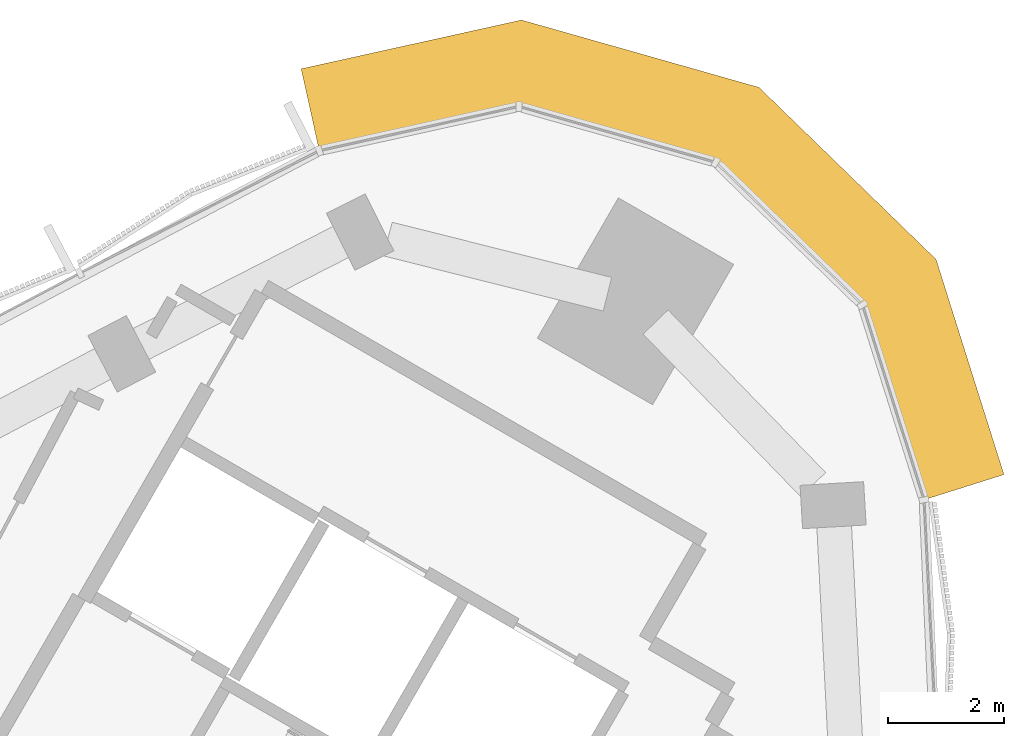
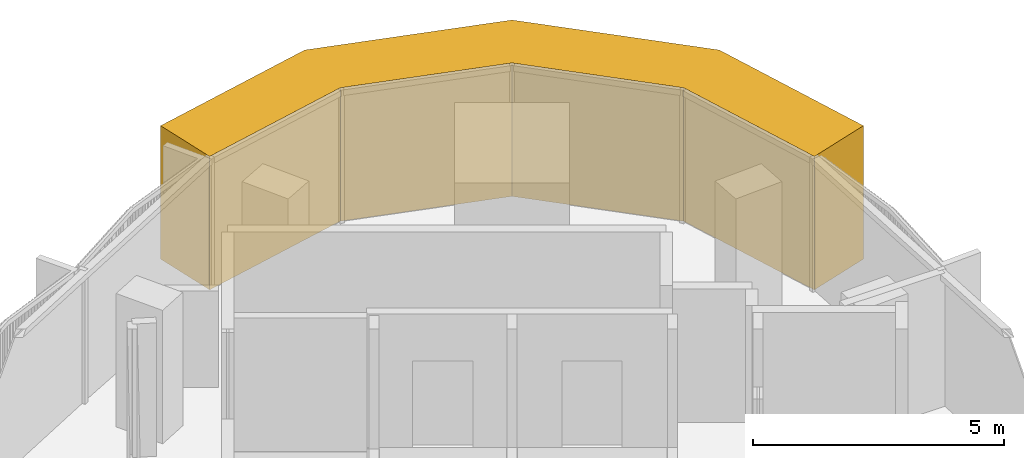
# One storey, part 14 of 14: 1 covering.
"""IFC4 building model written with IfcOpenShell, lengths in metres."""

from ifc_helpers import new_model, si_unit, direction, frame, origin, place, context, subcontext, project, spatial, polyline, outline, extrude, material, layer, layer_set, type_object, element, save


model = new_model("IFC4")

# Units and contexts
model_context = context("Model", 3, precision=1e-05, world=origin(), true_north=direction((0.0, 1.0)))
body_context = subcontext(model_context, "Body", "Model", "MODEL_VIEW")
ifc_project = project(units=[si_unit("LENGTHUNIT", "METRE"), si_unit("AREAUNIT", "SQUARE_METRE"), si_unit("VOLUMEUNIT", "CUBIC_METRE"), si_unit("PLANEANGLEUNIT", "RADIAN"), si_unit("MASSUNIT", "GRAM", prefix="KILO")], contexts=[model_context])

# Site, building, storey
site_placement = place(None, origin())
site = spatial("IfcSite", under=ifc_project, at=site_placement, CompositionType="ELEMENT")
building_placement = place(site_placement, origin())
building = spatial("IfcBuilding", under=site, at=building_placement, Name="Tamra Quay Hotel Tower", CompositionType="ELEMENT")
storey_placement = place(building_placement, frame((0.0, 0.0, 228.60009765625)))
storey = spatial("IfcBuildingStorey", under=building, at=storey_placement, Name="L57", CompositionType="ELEMENT", Elevation=228.60009765625)

# Covering
ifc_material = material(Name="Precast concrete M60 terracotta-coloured", Category="masonry")
ifc_layer = layer(ifc_material, 1.449951171875)
ifc_layer_set = layer_set([ifc_layer], Name="CORNER PIER PANEL")
covering_type = type_object("IfcCoveringType", Name="CORNER PIER PANEL", PredefinedType="CLADDING", material=ifc_layer_set)
covering_placement = place(storey_placement, origin())
element("IfcCovering", 1, at=covering_placement, inside=storey, type_object=covering_type, Name="Corner pier L57.east", PredefinedType="CLADDING", context=body_context, shape_type="SweptSolid", body=[
    extrude(outline(polyline([(17.69677734375, 18.5830078125), (19.07958984375, 19.019287109375), (17.90576171875, 22.739501953125), (14.844970703125, 25.712158203125), (10.739990234375, 26.876708984375), (6.931396484375, 26.033203125), (7.244873046875, 24.617431640625), (10.6962890625, 25.3818359375), (14.09716796875, 24.4169921875), (16.633056640625, 21.9541015625), (17.69677734375, 18.5830078125)])), origin(), (0.0, 0.0, 1.0), 3.25),
])

save(model, "model.ifc")
